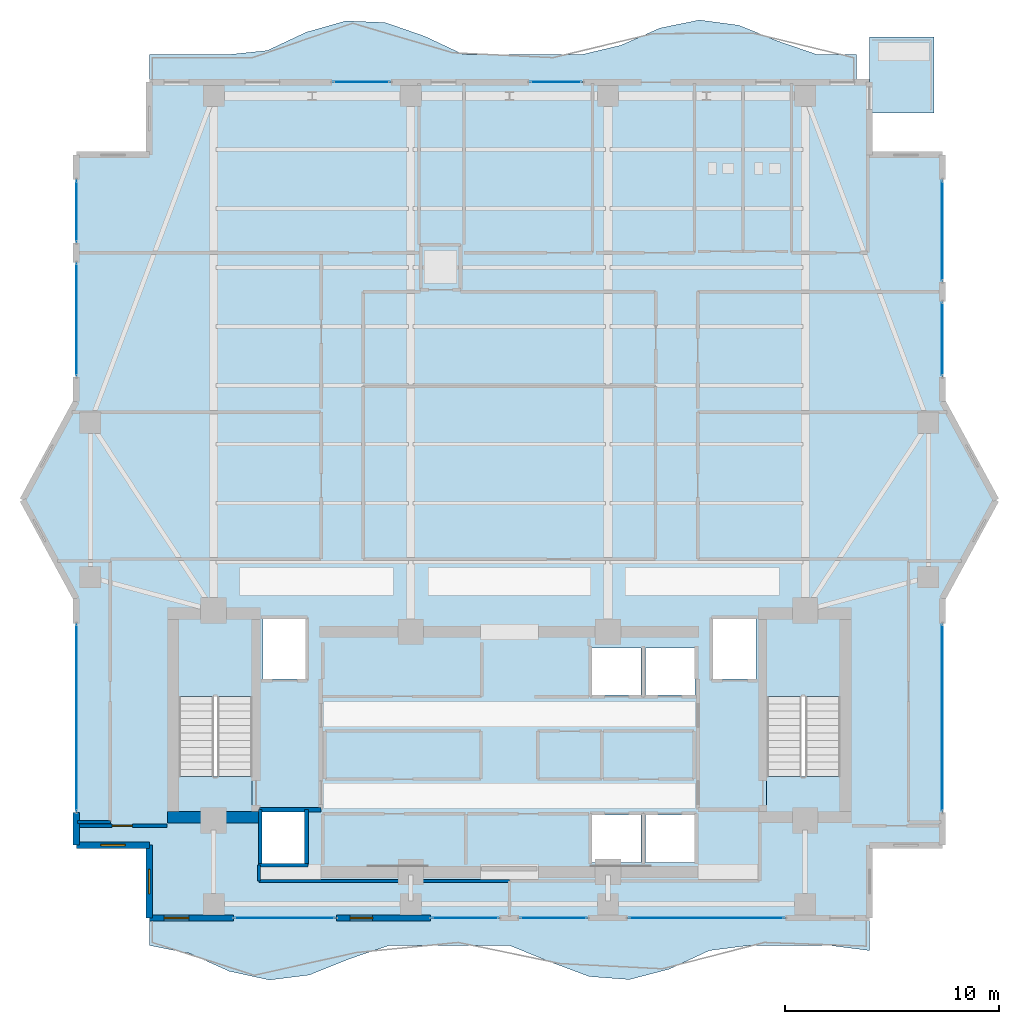
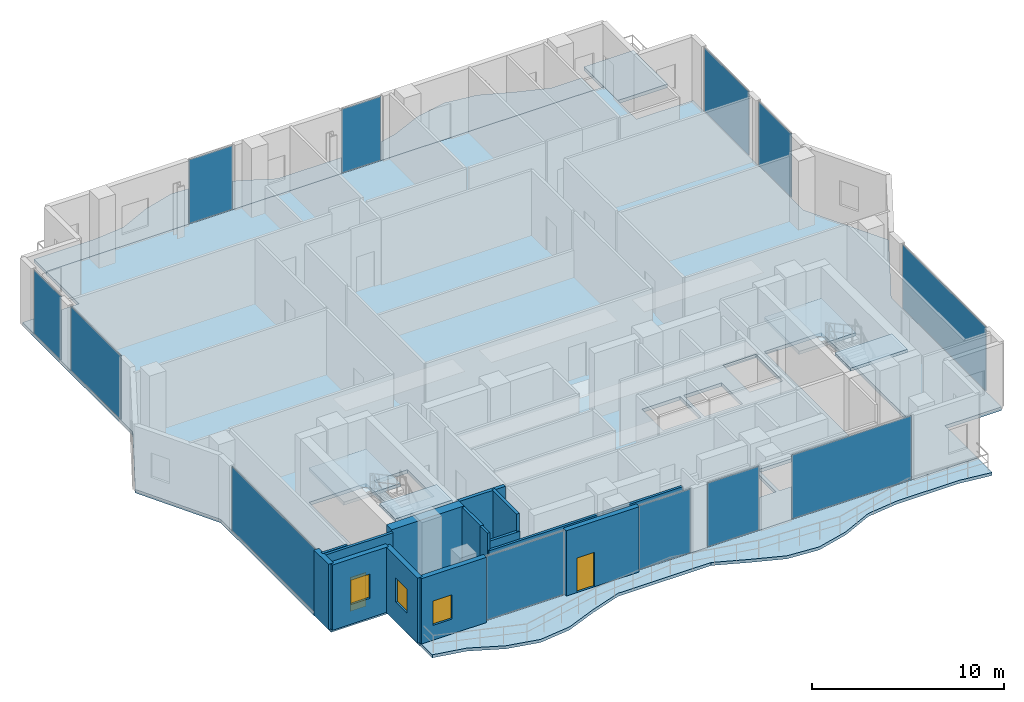
# One storey, part 16 of 24: 14 walls, 12 plates, 8 slabs, 3 windows, 2 doors, 5 openings, 14 elements without a shape of their own.
"""IFC4 building model written with IfcOpenShell, lengths in metres."""

import ifcopenshell
import ifcopenshell.guid

model = None  # the IFC model being written
_history = None  # IfcOwnerHistory: only IFC2X3 demands one
_inside = {}  # id of a spatial element -> (the spatial element, [elements in it])
_under = {}  # id of a project, library or spatial element -> (it, [spatial elements below it])
_declared = {}  # id of a project -> (the project, [libraries it declares])
_typed = {}  # id of a type object -> (the type object, [elements of that type])
_made_of = {}  # id of a material, layer set ... -> (it, [elements and type objects made of it])


def new_model(schema):
    """Start an empty IFC model of exactly this schema.

    Asked for "IFC4X3", IfcOpenShell would pick the latest addendum, in which some entities
    have other attributes; the version numbers below select the first issue.
    IFC2X3 requires an IfcOwnerHistory on every rooted entity: one is made here for all.
    """
    global model, _history
    if schema == "IFC4X3":
        model = ifcopenshell.file(schema_version=(4, 3, 0, 0))
    else:
        model = ifcopenshell.file(schema=schema)
    _inside.clear()
    _under.clear()
    _declared.clear()
    _typed.clear()
    _made_of.clear()
    _history = None
    if model.schema == "IFC2X3":
        org = make("IfcOrganization", Name="unknown")
        user = make(
            "IfcPersonAndOrganization",
            ThePerson=make("IfcPerson", FamilyName="unknown"),
            TheOrganization=org,
        )
        app = make(
            "IfcApplication",
            ApplicationDeveloper=org,
            Version="unknown",
            ApplicationFullName="unknown",
            ApplicationIdentifier="unknown",
        )
        _history = make(
            "IfcOwnerHistory",
            OwningUser=user,
            OwningApplication=app,
            ChangeAction="ADDED",
            CreationDate=0,
        )
    return model


def make(cls, **values):
    """One entity of the class cls with the attributes given. An attribute that is None is left unset."""
    return model.create_entity(
        cls, **{name: value for name, value in values.items() if value is not None}
    )


def rooted(cls, **values):
    """An entity with a GlobalId (a new one), such as an element, a storey or a relation."""
    return make(cls, GlobalId=ifcopenshell.guid.new(), OwnerHistory=_history, **values)


def si_unit(unit_type, name, prefix=None):
    """IfcSIUnit, for example si_unit("LENGTHUNIT", "METRE", prefix="MILLI")."""
    return make("IfcSIUnit", UnitType=unit_type, Prefix=prefix, Name=name)


def assignment(units):
    """IfcUnitAssignment: the units of a project."""
    return None if units is None else make("IfcUnitAssignment", Units=units)


def point(xyz):
    """IfcCartesianPoint."""
    return None if xyz is None else make("IfcCartesianPoint", Coordinates=xyz)


def direction(xyz):
    """IfcDirection."""
    return None if xyz is None else make("IfcDirection", DirectionRatios=xyz)


def frame(location, z_axis=None, x_axis=None):
    """IfcAxis2Placement3D, a coordinate frame: its origin and axes. An axis left out is left unset."""
    return make(
        "IfcAxis2Placement3D",
        Location=point(location),
        Axis=direction(z_axis),
        RefDirection=direction(x_axis),
    )


def frame_2d(location, x_axis=None):
    """IfcAxis2Placement2D, a coordinate frame in the plane: its origin and x axis."""
    return make(
        "IfcAxis2Placement2D", Location=point(location), RefDirection=direction(x_axis)
    )


def origin():
    """The frame at (0, 0, 0) with its axes left unset."""
    return frame((0.0, 0.0, 0.0))


def origin_2d():
    """The frame at (0, 0) in the plane with its x axis left unset."""
    return frame_2d((0.0, 0.0))


def place(relative_to, where):
    """IfcLocalPlacement: puts the frame where relative to a parent placement (None: the world)."""
    return make(
        "IfcLocalPlacement", PlacementRelTo=relative_to, RelativePlacement=where
    )


def context(
    kind, dimensions, precision=None, world=None, true_north=None, identifier=None
):
    """IfcGeometricRepresentationContext, for example the 3D "Model" context."""
    return make(
        "IfcGeometricRepresentationContext",
        ContextIdentifier=identifier,
        ContextType=kind,
        CoordinateSpaceDimension=dimensions,
        Precision=precision,
        WorldCoordinateSystem=world,
        TrueNorth=true_north,
    )


def subcontext(parent, identifier, kind, view, scale=None):
    """IfcGeometricRepresentationSubContext, for example "Body" below "Model"."""
    return make(
        "IfcGeometricRepresentationSubContext",
        ContextIdentifier=identifier,
        ContextType=kind,
        ParentContext=parent,
        TargetScale=scale,
        TargetView=view,
    )


def project(units=None, contexts=None):
    """IfcProject with its units and contexts."""
    return rooted(
        "IfcProject",
        Name="project",
        RepresentationContexts=contexts,
        UnitsInContext=assignment(units),
    )


def spatial(cls, under=None, at=None, **own):
    """A site, building, storey or space (cls), placed at a placement, below another one or the project."""
    s = rooted(cls, ObjectPlacement=at, **own)
    if under is not None:
        _under.setdefault(under.id(), (under, []))[1].append(s)
    return s


def polyline(points):
    """IfcPolyline through the points."""
    return make("IfcPolyline", Points=[point(p) for p in points])


def profile(cls, at=None, kind="AREA", **sizes):
    """A parametric profile (cls). Its sizes go by their IFC names, for example OverallWidth=200.0."""
    return make(cls, ProfileType=kind, Position=at, **sizes)


def rectangle(**sizes):
    """IfcRectangleProfileDef."""
    return profile("IfcRectangleProfileDef", **sizes)


def outline(outer, holes=None, kind="AREA"):
    """IfcArbitraryClosedProfileDef: a profile drawn as a closed curve; with holes, ...WithVoids."""
    if holes is None:
        return make("IfcArbitraryClosedProfileDef", ProfileType=kind, OuterCurve=outer)
    return make(
        "IfcArbitraryProfileDefWithVoids",
        ProfileType=kind,
        OuterCurve=outer,
        InnerCurves=holes,
    )


def extrude(swept, where, along, depth):
    """IfcExtrudedAreaSolid: the profile swept, set in the frame where, extruded along a direction by depth."""
    return make(
        "IfcExtrudedAreaSolid",
        SweptArea=swept,
        Position=where,
        ExtrudedDirection=direction(along),
        Depth=depth,
    )


def shape(context_of_items, identifier, shape_type, items):
    """IfcShapeRepresentation: the items that make up one representation, for example the "Body"."""
    return make(
        "IfcShapeRepresentation",
        ContextOfItems=context_of_items,
        RepresentationIdentifier=identifier,
        RepresentationType=shape_type,
        Items=items,
    )


def material(Name=None, Category=None):
    """IfcMaterial."""
    return make("IfcMaterial", Name=Name, Category=Category)


def layer(
    of_material, thickness, ventilated=None, Name=None, Category=None, Priority=None
):
    """IfcMaterialLayer: one layer of a wall or slab, of a material (None: an air gap)."""
    return make(
        "IfcMaterialLayer",
        Material=of_material,
        LayerThickness=thickness,
        IsVentilated=ventilated,
        Name=Name,
        Category=Category,
        Priority=Priority,
    )


def layer_set(layers, Name=None):
    """IfcMaterialLayerSet."""
    return make("IfcMaterialLayerSet", MaterialLayers=layers, LayerSetName=Name)


def made_of(thing, what):
    """Note that an element or type object is made of a material, layer set ...; save() writes the relation."""
    if what is not None:
        _made_of.setdefault(what.id(), (what, []))[1].append(thing)
    return thing


def type_object(cls, material=None, **own):
    """A type object (cls), such as IfcWallType, which elements share."""
    return made_of(rooted(cls, **own), material)


def element(
    cls,
    number,
    at=None,
    inside=None,
    cuts=None,
    type_object=None,
    material=None,
    context=None,
    identifier="Body",
    shape_type=None,
    held_by="IfcProductDefinitionShape",
    body=None,
    shapes=None,
    **own,
):
    """One element of the class cls, such as IfcWall. Its Tag is "e" and its number.

    at: its placement. inside: the storey or other place that contains it. cuts: it is an
    opening in that element (IfcRelVoidsElement). A single representation is given by context,
    identifier, shape_type and body (its items); several are given by shapes. held_by: the class
    of the entity that holds the representations. save() writes the other relations.
    """
    e = rooted(cls, Tag="e%d" % number, ObjectPlacement=at, **own)
    if body is not None:
        shapes = [shape(context, identifier, shape_type, body)]
    if shapes is not None:
        e.Representation = make(held_by, Representations=shapes)
    if inside is not None:
        _inside.setdefault(inside.id(), (inside, []))[1].append(e)
    if cuts is not None:
        rooted(
            "IfcRelVoidsElement", RelatingBuildingElement=cuts, RelatedOpeningElement=e
        )
    if type_object is not None:
        _typed.setdefault(type_object.id(), (type_object, []))[1].append(e)
    return made_of(e, material)


def fill(opening, filler):
    """IfcRelFillsElement: the door or window that sits in an opening."""
    return rooted(
        "IfcRelFillsElement",
        RelatingOpeningElement=opening,
        RelatedBuildingElement=filler,
    )


def aggregate(whole, parts):
    """IfcRelAggregates: a whole, such as a stair, and the parts it consists of."""
    return rooted("IfcRelAggregates", RelatingObject=whole, RelatedObjects=parts)


def save(model, path):
    """Write the relations noted so far, then the file.

    IfcRelAggregates (storeys below a building ...), IfcRelContainedInSpatialStructure (elements
    in a storey), IfcRelDefinesByType, IfcRelAssociatesMaterial and IfcRelDeclares: one each for
    every whole, place, type object, material and project.
    """
    for whole, parts in _under.values():
        aggregate(whole, parts)
    for where, things in _inside.values():
        rooted(
            "IfcRelContainedInSpatialStructure",
            RelatedElements=things,
            RelatingStructure=where,
        )
    for kind, things in _typed.values():
        rooted("IfcRelDefinesByType", RelatedObjects=things, RelatingType=kind)
    for what, things in _made_of.values():
        rooted("IfcRelAssociatesMaterial", RelatedObjects=things, RelatingMaterial=what)
    for by, libraries in _declared.values():
        rooted("IfcRelDeclares", RelatingContext=by, RelatedDefinitions=libraries)
    model.write(path)


model = new_model("IFC4")

# Units and contexts
model_context = context("Model", 3, precision=1e-05, world=origin(), true_north=direction((0.0, 1.0)))
body_context = subcontext(model_context, "Body", "Model", "MODEL_VIEW")
ifc_project = project(units=[si_unit("LENGTHUNIT", "METRE"), si_unit("AREAUNIT", "SQUARE_METRE"), si_unit("VOLUMEUNIT", "CUBIC_METRE"), si_unit("PLANEANGLEUNIT", "RADIAN"), si_unit("MASSUNIT", "GRAM", prefix="KILO")], contexts=[model_context])

# Site, building, storey
site_placement = place(None, origin())
site = spatial("IfcSite", under=ifc_project, at=site_placement, CompositionType="ELEMENT")
building_placement = place(site_placement, origin())
building = spatial("IfcBuilding", under=site, at=building_placement, Name="Zuhayl Quay Hotel", CompositionType="ELEMENT")
storey_placement = place(building_placement, frame((0.0, 0.0, 292.85009765625)))
storey = spatial("IfcBuildingStorey", under=building, at=storey_placement, Name="L74", CompositionType="ELEMENT", Elevation=292.85009765625)

# Curtain wall, plate
ifc_material_1 = material(Name="Anodised Aluminium 6063-T6", Category="aluminium")
ifc_layer_1 = layer(ifc_material_1, 0.169921875, Name="Anodised Aluminium 6063-T6", Category="aluminium")
ifc_layer_set_1 = layer_set([ifc_layer_1], Name="Anodised Aluminium 6063-T6")
curtain_wall_type = type_object("IfcCurtainWallType", Name="CW_SYS_Z4", PredefinedType="USERDEFINED", material=ifc_layer_set_1)
curtain_wall_1_placement = place(storey_placement, origin())
curtain_wall_1 = element("IfcCurtainWall", 1, at=curtain_wall_1_placement, inside=storey, type_object=curtain_wall_type, Name="L74 Curtain Wall ENV_L74_E02_CW1", ObjectType="UNITISED CURTAIN WALL", PredefinedType="USERDEFINED")
ifc_material_2 = material(Name="Dark Ceramic-Fritted Solar Glass", Category="glass")
ifc_layer_2 = layer(ifc_material_2, 0.035888671875, Name="Dark Ceramic-Fritted Solar Glass", Category="glass")
ifc_layer_set_2 = layer_set([ifc_layer_2], Name="Dark Ceramic-Fritted Solar Glass")
plate_type = type_object("IfcPlateType", Name="PN_DARK_FRIT_Z1", PredefinedType="CURTAIN_PANEL", material=ifc_layer_set_2)
plate_1_placement = place(storey_placement, frame((-20.199951171875, 9.340087890625, 0.0546875), z_axis=(0.0, 0.0, 1.0), x_axis=(0.0, 1.0, 0.0)))
plate_1 = element("IfcPlate", 2, at=plate_1_placement, type_object=plate_type, Name="CW-Z4 panel 1.1", PredefinedType="CURTAIN_PANEL", context=body_context, shape_type="SweptSolid", body=[
    extrude(rectangle(XDim=8.68994140625, YDim=0.035888671875, at=origin_2d()), origin(), (0.0, 0.0, 1.0), 4.050048828125),
])
aggregate(curtain_wall_1, [plate_1])

curtain_wall_2_placement = place(storey_placement, origin())
curtain_wall_2 = element("IfcCurtainWall", 3, at=curtain_wall_2_placement, inside=storey, type_object=curtain_wall_type, Name="L74 Curtain Wall ENV_L74_E05_CW1", ObjectType="UNITISED CURTAIN WALL", PredefinedType="USERDEFINED")
plate_2_placement = place(storey_placement, frame((-20.199951171875, 27.919921875, 0.0546875), z_axis=(0.0, 0.0, 1.0), x_axis=(0.0, 1.0, 0.0)))
plate_2 = element("IfcPlate", 4, at=plate_2_placement, type_object=plate_type, Name="CW-Z4 panel 1.1", PredefinedType="CURTAIN_PANEL", context=body_context, shape_type="SweptSolid", body=[
    extrude(rectangle(XDim=5.2099609375, YDim=0.035888671875, at=origin_2d()), origin(), (0.0, 0.0, 1.0), 4.050048828125),
])
aggregate(curtain_wall_2, [plate_2])

curtain_wall_3_placement = place(storey_placement, origin())
curtain_wall_3 = element("IfcCurtainWall", 5, at=curtain_wall_3_placement, inside=storey, type_object=curtain_wall_type, Name="L74 Curtain Wall ENV_L74_E05_CW2", ObjectType="UNITISED CURTAIN WALL", PredefinedType="USERDEFINED")
plate_3_placement = place(storey_placement, frame((-20.199951171875, 32.969970703125, 0.0546875), z_axis=(0.0, 0.0, 1.0), x_axis=(0.0, 1.0, 0.0)))
plate_3 = element("IfcPlate", 6, at=plate_3_placement, type_object=plate_type, Name="CW-Z4 panel 1.1", PredefinedType="CURTAIN_PANEL", context=body_context, shape_type="SweptSolid", body=[
    extrude(rectangle(XDim=2.830078125, YDim=0.035888671875, at=origin_2d()), origin(), (0.0, 0.0, 1.0), 4.050048828125),
])
aggregate(curtain_wall_3, [plate_3])

curtain_wall_4_placement = place(storey_placement, origin())
curtain_wall_4 = element("IfcCurtainWall", 7, at=curtain_wall_4_placement, inside=storey, type_object=curtain_wall_type, Name="L74 Curtain Wall ENV_L74_N_CW1", ObjectType="UNITISED CURTAIN WALL", PredefinedType="USERDEFINED")
plate_4_placement = place(storey_placement, frame((-6.89990234375, 39.0, 0.0546875), z_axis=(0.0, 0.0, 1.0), x_axis=(1.0, 0.0, 0.0)))
plate_4 = element("IfcPlate", 8, at=plate_4_placement, type_object=plate_type, Name="CW-Z4 panel 1.1", PredefinedType="CURTAIN_PANEL", context=body_context, shape_type="SweptSolid", body=[
    extrude(rectangle(XDim=2.6298828125, YDim=0.035888671875, at=origin_2d()), origin(), (0.0, 0.0, 1.0), 4.050048828125),
])
aggregate(curtain_wall_4, [plate_4])

curtain_wall_5_placement = place(storey_placement, origin())
curtain_wall_5 = element("IfcCurtainWall", 9, at=curtain_wall_5_placement, inside=storey, type_object=curtain_wall_type, Name="L74 Curtain Wall ENV_L74_N_CW2", ObjectType="UNITISED CURTAIN WALL", PredefinedType="USERDEFINED")
plate_5_placement = place(storey_placement, frame((2.175048828125, 39.0, 0.0546875), z_axis=(0.0, 0.0, 1.0), x_axis=(1.0, 0.0, 0.0)))
plate_5 = element("IfcPlate", 10, at=plate_5_placement, type_object=plate_type, Name="CW-Z4 panel 1.1", PredefinedType="CURTAIN_PANEL", context=body_context, shape_type="SweptSolid", body=[
    extrude(rectangle(XDim=2.3798828125, YDim=0.035888671875, at=origin_2d()), origin(), (0.0, 0.0, 1.0), 4.050048828125),
])
aggregate(curtain_wall_5, [plate_5])

curtain_wall_6_placement = place(storey_placement, origin())
curtain_wall_6 = element("IfcCurtainWall", 11, at=curtain_wall_6_placement, inside=storey, type_object=curtain_wall_type, Name="L74 Curtain Wall ENV_L74_E11_CW1", ObjectType="UNITISED CURTAIN WALL", PredefinedType="USERDEFINED")
plate_6_placement = place(storey_placement, frame((20.199951171875, 32.06005859375, 0.0546875), z_axis=(0.0, 0.0, 1.0), x_axis=(0.0, -1.0, 0.0)))
plate_6 = element("IfcPlate", 12, at=plate_6_placement, type_object=plate_type, Name="CW-Z4 panel 1.1", PredefinedType="CURTAIN_PANEL", context=body_context, shape_type="SweptSolid", body=[
    extrude(rectangle(XDim=4.64990234375, YDim=0.035888671875, at=origin_2d()), origin(), (0.0, 0.0, 1.0), 4.050048828125),
])
aggregate(curtain_wall_6, [plate_6])

curtain_wall_7_placement = place(storey_placement, origin())
curtain_wall_7 = element("IfcCurtainWall", 13, at=curtain_wall_7_placement, inside=storey, type_object=curtain_wall_type, Name="L74 Curtain Wall ENV_L74_E11_CW2", ObjectType="UNITISED CURTAIN WALL", PredefinedType="USERDEFINED")
plate_7_placement = place(storey_placement, frame((20.199951171875, 27.010009765625, 0.0546875), z_axis=(0.0, 0.0, 1.0), x_axis=(0.0, -1.0, 0.0)))
plate_7 = element("IfcPlate", 14, at=plate_7_placement, type_object=plate_type, Name="CW-Z4 panel 1.1", PredefinedType="CURTAIN_PANEL", context=body_context, shape_type="SweptSolid", body=[
    extrude(rectangle(XDim=3.389892578125, YDim=0.035888671875, at=origin_2d()), origin(), (0.0, 0.0, 1.0), 4.050048828125),
])
aggregate(curtain_wall_7, [plate_7])

curtain_wall_8_placement = place(storey_placement, origin())
curtain_wall_8 = element("IfcCurtainWall", 15, at=curtain_wall_8_placement, inside=storey, type_object=curtain_wall_type, Name="L74 Curtain Wall ENV_L74_E14_CW1", ObjectType="UNITISED CURTAIN WALL", PredefinedType="USERDEFINED")
plate_8_placement = place(storey_placement, frame((20.199951171875, 9.340087890625, 0.0546875), z_axis=(0.0, 0.0, 1.0), x_axis=(0.0, -1.0, 0.0)))
plate_8 = element("IfcPlate", 16, at=plate_8_placement, type_object=plate_type, Name="CW-Z4 panel 1.1", PredefinedType="CURTAIN_PANEL", context=body_context, shape_type="SweptSolid", body=[
    extrude(rectangle(XDim=8.68994140625, YDim=0.035888671875, at=origin_2d()), origin(), (0.0, 0.0, 1.0), 4.050048828125),
])
aggregate(curtain_wall_8, [plate_8])

curtain_wall_9_placement = place(storey_placement, origin())
curtain_wall_9 = element("IfcCurtainWall", 17, at=curtain_wall_9_placement, inside=storey, type_object=curtain_wall_type, Name="L74 Curtain Wall ENV_L74_S_CW1", ObjectType="UNITISED CURTAIN WALL", PredefinedType="USERDEFINED")
plate_9_placement = place(storey_placement, frame((9.199951171875, 0.0, 0.0546875), z_axis=(0.0, 0.0, 1.0), x_axis=(-1.0, 0.0, 0.0)))
plate_9 = element("IfcPlate", 18, at=plate_9_placement, type_object=plate_type, Name="CW-Z4 panel 1.1", PredefinedType="CURTAIN_PANEL", context=body_context, shape_type="SweptSolid", body=[
    extrude(rectangle(XDim=7.22998046875, YDim=0.035888671875, at=origin_2d()), origin(), (0.0, 0.0, 1.0), 4.050048828125),
])
aggregate(curtain_wall_9, [plate_9])

curtain_wall_10_placement = place(storey_placement, origin())
curtain_wall_10 = element("IfcCurtainWall", 19, at=curtain_wall_10_placement, inside=storey, type_object=curtain_wall_type, Name="L74 Curtain Wall ENV_L74_S_CW2", ObjectType="UNITISED CURTAIN WALL", PredefinedType="USERDEFINED")
plate_10_placement = place(storey_placement, frame((2.06494140625, 0.0, 0.0546875), z_axis=(0.0, 0.0, 1.0), x_axis=(-1.0, 0.0, 0.0)))
plate_10 = element("IfcPlate", 20, at=plate_10_placement, type_object=plate_type, Name="CW-Z4 panel 1.1", PredefinedType="CURTAIN_PANEL", context=body_context, shape_type="SweptSolid", body=[
    extrude(rectangle(XDim=3.10009765625, YDim=0.035888671875, at=origin_2d()), origin(), (0.0, 0.0, 1.0), 4.050048828125),
])
aggregate(curtain_wall_10, [plate_10])

curtain_wall_11_placement = place(storey_placement, origin())
curtain_wall_11 = element("IfcCurtainWall", 21, at=curtain_wall_11_placement, inside=storey, type_object=curtain_wall_type, Name="L74 Curtain Wall ENV_L74_S_CW3", ObjectType="UNITISED CURTAIN WALL", PredefinedType="USERDEFINED")
plate_11_placement = place(storey_placement, frame((-2.06494140625, 0.0, 0.0546875), z_axis=(0.0, 0.0, 1.0), x_axis=(-1.0, 0.0, 0.0)))
plate_11 = element("IfcPlate", 22, at=plate_11_placement, type_object=plate_type, Name="CW-Z4 panel 1.1", PredefinedType="CURTAIN_PANEL", context=body_context, shape_type="SweptSolid", body=[
    extrude(rectangle(XDim=3.10009765625, YDim=0.035888671875, at=origin_2d()), origin(), (0.0, 0.0, 1.0), 4.050048828125),
])
aggregate(curtain_wall_11, [plate_11])

curtain_wall_12_placement = place(storey_placement, origin())
curtain_wall_12 = element("IfcCurtainWall", 23, at=curtain_wall_12_placement, inside=storey, type_object=curtain_wall_type, Name="L74 Curtain Wall ENV_L74_S_CW4", ObjectType="UNITISED CURTAIN WALL", PredefinedType="USERDEFINED")
plate_12_placement = place(storey_placement, frame((-10.4775390625, 0.0, 0.0546875), z_axis=(0.0, 0.0, 1.0), x_axis=(-1.0, 0.0, 0.0)))
plate_12 = element("IfcPlate", 24, at=plate_12_placement, type_object=plate_type, Name="CW-Z4 panel 1.1", PredefinedType="CURTAIN_PANEL", context=body_context, shape_type="SweptSolid", body=[
    extrude(rectangle(XDim=4.675048828125, YDim=0.035888671875, at=origin_2d()), origin(), (0.0, 0.0, 1.0), 4.050048828125),
])
aggregate(curtain_wall_12, [plate_12])

# Slabs
ifc_material_3 = material(Name="Concrete C45/55", Category="concrete")
ifc_layer_3 = layer(ifc_material_3, 0.195068359375, Name="Concrete C45/55", Category="concrete")
ifc_layer_set_3 = layer_set([ifc_layer_3], Name="Concrete C45/55")
slab_type_1 = type_object("IfcSlabType", Name="SL_BALCONY_195", PredefinedType="FLOOR", material=ifc_layer_set_3)
slab_1_placement = place(storey_placement, frame((0.0, 0.0, -0.195068359375)))
element("IfcSlab", 25, at=slab_1_placement, inside=storey, type_object=slab_type_1, Name="L74 Exterior Rippling Balcony Slab North", PredefinedType="FLOOR", context=body_context, shape_type="SweptSolid", body=[
    extrude(outline(polyline([(-16.800048828125, 39.0), (16.199951171875, 39.0), (16.199951171875, 40.280029296875), (14.36669921875, 40.280029296875), (12.533203125, 40.909912109375), (10.699951171875, 41.651611328125), (8.86669921875, 41.89599609375), (7.033203125, 41.522216796875), (5.199951171875, 40.71533203125), (3.36669921875, 40.280029296875), (1.533203125, 40.280029296875), (-0.300048828125, 40.280029296875), (-2.13330078125, 40.280029296875), (-3.966796875, 41.143310546875), (-5.800048828125, 41.7783203125), (-7.63330078125, 41.85302734375), (-9.466796875, 41.330810546875), (-11.300048828125, 40.470703125), (-13.13330078125, 40.280029296875), (-14.966796875, 40.280029296875), (-16.800048828125, 40.280029296875), (-16.800048828125, 39.0)])), origin(), (0.0, 0.0, 1.0), 0.195068359375),
])
slab_2_placement = place(storey_placement, frame((0.0, 0.0, -0.195068359375)))
element("IfcSlab", 26, at=slab_2_placement, inside=storey, type_object=slab_type_1, Name="L74 Exterior Rippling Balcony Slab South", PredefinedType="FLOOR", context=body_context, shape_type="SweptSolid", body=[
    extrude(outline(polyline([(-16.800048828125, -1.280029296875), (-14.933349609375, -1.64990234375), (-13.066650390625, -2.486328125), (-11.199951171875, -2.893310546875), (-9.333251953125, -2.661376953125), (-7.466796875, -1.909912109375), (-5.60009765625, -1.280029296875), (-3.7333984375, -1.280029296875), (-1.86669921875, -1.280029296875), (0.0, -1.280029296875), (1.86669921875, -2.036376953125), (3.7333984375, -2.732421875), (5.60009765625, -2.872802734375), (7.466796875, -2.384765625), (9.333251953125, -1.519287109375), (11.199951171875, -1.280029296875), (13.066650390625, -1.280029296875), (14.933349609375, -1.280029296875), (16.800048828125, -1.519287109375), (16.800048828125, 0.0), (-16.800048828125, 0.0), (-16.800048828125, -1.280029296875)])), origin(), (0.0, 0.0, 1.0), 0.195068359375),
])
ifc_layer_4 = layer(ifc_material_3, 0.219970703125, Name="Concrete C45/55", Category="concrete")
ifc_layer_set_4 = layer_set([ifc_layer_4], Name="Concrete C45/55")
slab_type_2 = type_object("IfcSlabType", Name="SL_FLOOR_220", PredefinedType="FLOOR", material=ifc_layer_set_4)
slab_3_placement = place(storey_placement, frame((0.0, 0.0, -0.22021484375)))
element("IfcSlab", 27, at=slab_3_placement, inside=storey, type_object=slab_type_2, Name="L74 Structural Floor Slab", PredefinedType="FLOOR", context=body_context, shape_type="SweptSolid", body=[
    extrude(outline(polyline([(-16.800048828125, 0.0), (16.800048828125, 0.0), (16.800048828125, 3.39990234375), (20.199951171875, 3.39990234375), (20.199951171875, 14.89990234375), (22.699951171875, 19.5), (20.199951171875, 24.10009765625), (20.199951171875, 35.60009765625), (16.800048828125, 35.60009765625), (16.800048828125, 39.0), (-16.800048828125, 39.0), (-16.800048828125, 35.60009765625), (-20.199951171875, 35.60009765625), (-20.199951171875, 24.10009765625), (-22.699951171875, 19.5), (-20.199951171875, 14.89990234375), (-20.199951171875, 3.39990234375), (-16.800048828125, 3.39990234375), (-16.800048828125, 0.0)]), holes=[polyline([(-12.0, 4.949951171875), (-12.0, 13.949951171875), (-15.429931640625, 13.949951171875), (-15.429931640625, 4.949951171875), (-12.0, 4.949951171875)]), polyline([(15.429931640625, 4.949951171875), (15.429931640625, 13.949951171875), (12.0, 13.949951171875), (12.0, 4.949951171875), (15.429931640625, 4.949951171875)]), polyline([(-11.5, 11.14990234375), (-9.5, 11.14990234375), (-9.5, 13.949951171875), (-11.5, 13.949951171875), (-11.5, 11.14990234375)]), polyline([(9.5, 11.14990234375), (11.5, 11.14990234375), (11.5, 13.949951171875), (9.5, 13.949951171875), (9.5, 11.14990234375)]), polyline([(3.85009765625, 2.60009765625), (6.14990234375, 2.60009765625), (6.14990234375, 4.800048828125), (3.85009765625, 4.800048828125), (3.85009765625, 2.60009765625)]), polyline([(6.35009765625, 2.60009765625), (8.64990234375, 2.60009765625), (8.64990234375, 4.800048828125), (6.35009765625, 4.800048828125), (6.35009765625, 2.60009765625)]), polyline([(3.85009765625, 10.39990234375), (6.14990234375, 10.39990234375), (6.14990234375, 12.60009765625), (3.85009765625, 12.60009765625), (3.85009765625, 10.39990234375)]), polyline([(6.35009765625, 10.39990234375), (8.64990234375, 10.39990234375), (8.64990234375, 12.60009765625), (6.35009765625, 12.60009765625), (6.35009765625, 10.39990234375)]), polyline([(-11.550048828125, 2.550048828125), (-9.550048828125, 2.550048828125), (-9.550048828125, 4.949951171875), (-11.550048828125, 4.949951171875), (-11.550048828125, 2.550048828125)])]), origin(), (0.0, 0.0, 1.0), 0.22021484375),
])

# Stair, slabs
stair_type = type_object("IfcStairType", Name="ST_DOGLEG_TOWER", PredefinedType="HALF_TURN_STAIR", material=ifc_material_3)
stair_1_placement = place(storey_placement, origin())
stair_1 = element("IfcStair", 28, at=stair_1_placement, inside=storey, type_object=stair_type, Name="L74 Smokeproof Exit Stair ST1", PredefinedType="HALF_TURN_STAIR")
ifc_layer_5 = layer(ifc_material_3, 0.199951171875, Name="Concrete C45/55", Category="concrete")
ifc_layer_set_5 = layer_set([ifc_layer_5], Name="Concrete C45/55")
slab_type_3 = type_object("IfcSlabType", Name="SL_STAIR_LANDING_200", PredefinedType="LANDING", material=ifc_layer_set_5)
slab_4_placement = place(storey_placement, frame((0.0, 0.0, 2.0)))
slab_4 = element("IfcSlab", 29, at=slab_4_placement, type_object=slab_type_3, Name="ST1 landing 1", PredefinedType="LANDING", context=body_context, shape_type="SweptSolid", body=[
    extrude(outline(polyline([(-12.0, 10.330078125), (-12.0, 13.949951171875), (-15.429931640625, 13.949951171875), (-15.429931640625, 10.330078125), (-12.0, 10.330078125)])), origin(), (0.0, 0.0, 1.0), 0.199951171875),
])
slab_5_placement = place(storey_placement, frame((0.0, 0.0, 4.199951171875)))
slab_5 = element("IfcSlab", 30, at=slab_5_placement, type_object=slab_type_3, Name="ST1 landing 2", PredefinedType="LANDING", context=body_context, shape_type="SweptSolid", body=[
    extrude(outline(polyline([(-12.0, 4.949951171875), (-12.0, 6.590087890625), (-15.429931640625, 6.590087890625), (-15.429931640625, 4.949951171875), (-12.0, 4.949951171875)])), origin(), (0.0, 0.0, 1.0), 0.199951171875),
])
aggregate(stair_1, [slab_4, slab_5])

stair_2_placement = place(storey_placement, origin())
stair_2 = element("IfcStair", 31, at=stair_2_placement, inside=storey, type_object=stair_type, Name="L74 Smokeproof Exit Stair ST2", PredefinedType="HALF_TURN_STAIR")
slab_6_placement = place(storey_placement, frame((0.0, 0.0, 2.0)))
slab_6 = element("IfcSlab", 32, at=slab_6_placement, type_object=slab_type_3, Name="ST2 landing 1", PredefinedType="LANDING", context=body_context, shape_type="SweptSolid", body=[
    extrude(outline(polyline([(15.429931640625, 10.330078125), (15.429931640625, 13.949951171875), (12.0, 13.949951171875), (12.0, 10.330078125), (15.429931640625, 10.330078125)])), origin(), (0.0, 0.0, 1.0), 0.199951171875),
])
slab_7_placement = place(storey_placement, frame((0.0, 0.0, 4.199951171875)))
slab_7 = element("IfcSlab", 33, at=slab_7_placement, type_object=slab_type_3, Name="ST2 landing 2", PredefinedType="LANDING", context=body_context, shape_type="SweptSolid", body=[
    extrude(outline(polyline([(15.429931640625, 4.949951171875), (15.429931640625, 6.590087890625), (12.0, 6.590087890625), (12.0, 4.949951171875), (15.429931640625, 4.949951171875)])), origin(), (0.0, 0.0, 1.0), 0.199951171875),
])
aggregate(stair_2, [slab_6, slab_7])

# Slab
ifc_layer_6 = layer(ifc_material_3, 0.219970703125, Name="Concrete C45/55", Category="concrete")
ifc_layer_set_6 = layer_set([ifc_layer_6], Name="Concrete C45/55")
slab_type_4 = type_object("IfcSlabType", Name="SL_TERRACE_235", PredefinedType="FLOOR", material=ifc_layer_set_6)
slab_8_placement = place(storey_placement, frame((0.0, 0.0, -0.22021484375)))
element("IfcSlab", 34, at=slab_8_placement, inside=storey, type_object=slab_type_4, Name="L74 Exterior Sky-Terrace Slab L74_SPIRAL_NE", PredefinedType="FLOOR", context=body_context, shape_type="SweptSolid", body=[
    extrude(outline(polyline([(16.800048828125, 37.550048828125), (19.800048828125, 37.550048828125), (19.800048828125, 41.10009765625), (16.800048828125, 41.10009765625), (16.800048828125, 37.550048828125)])), origin(), (0.0, 0.0, 1.0), 0.22021484375),
])

# Wall
ifc_material_4 = material(Name="Concrete C50/60", Category="concrete")
ifc_layer_7 = layer(ifc_material_4, 0.550048828125, Name="Concrete C50/60", Category="concrete")
ifc_layer_set_7 = layer_set([ifc_layer_7], Name="Concrete C50/60")
wall_type_1 = type_object("IfcWallType", Name="WL_CORE_550", PredefinedType="SHEAR", material=ifc_layer_set_7)
wall_1_placement = place(storey_placement, frame((-15.9599609375, 4.695068359375, 0.0), z_axis=(0.0, 0.0, 1.0), x_axis=(1.0, 0.0, 0.0)))
element("IfcWall", 35, at=wall_1_placement, inside=storey, type_object=wall_type_1, Name="L74 Core Shear Wall CW_SW", PredefinedType="SHEAR", context=body_context, shape_type="SweptSolid", body=[
    extrude(rectangle(XDim=4.35986328125, YDim=0.550048828125, at=frame_2d((2.179931640625, 0.0))), origin(), (0.0, 0.0, 1.0), 4.2099609375),
])

# Wall, opening, window
ifc_material_5 = material(Name="Precast concrete C45/55", Category="concrete")
ifc_layer_8 = layer(ifc_material_5, 0.300048828125, Name="Precast concrete C45/55", Category="concrete")
ifc_layer_set_8 = layer_set([ifc_layer_8], Name="Precast concrete C45/55")
wall_type_2 = type_object("IfcWallType", Name="WL_EXT_300", PredefinedType="STANDARD", material=ifc_layer_set_8)
wall_2_placement = place(storey_placement, frame((-16.800048828125, 3.39990234375, 0.0), z_axis=(0.0, 0.0, 1.0), x_axis=(-1.0, 0.0, 0.0)))
wall_2 = element("IfcWall", 36, at=wall_2_placement, inside=storey, type_object=wall_type_2, Name="L74 Exterior Precast Wall ENV_L74_EW01", PredefinedType="STANDARD", context=body_context, shape_type="SweptSolid", body=[
    extrude(rectangle(XDim=3.39990234375, YDim=0.300048828125, at=frame_2d((1.699951171875, 0.0))), origin(), (0.0, 0.0, 1.0), 4.159912109375),
])
opening_1_placement = place(wall_2_placement, frame((1.125, 0.0, 1.25)))
opening_1 = element("IfcOpeningElement", 37, at=opening_1_placement, cuts=wall_2, Name="Opening W01N", PredefinedType="OPENING", context=body_context, shape_type="SweptSolid", body=[
    extrude(rectangle(XDim=1.14990234375, YDim=1.550048828125, at=frame_2d((0.574951171875, 0.77490234375))), frame((0.0, 0.159912109375, 0.0), z_axis=(0.0, -1.0, 0.0), x_axis=(1.0, 0.0, 0.0)), (0.0, 0.0, 1.0), 0.320068359375),
])
window_type = type_object("IfcWindowType", Name="WN_NOTCH_1350", PartitioningType="SINGLE_PANEL", PredefinedType="WINDOW", material=ifc_material_2)
window_1_placement = place(opening_1_placement, origin())
window_1 = element("IfcWindow", 38, at=window_1_placement, inside=storey, type_object=window_type, Name="L74 Corner Notch Window 1", OverallHeight=1.550048828125, OverallWidth=1.14990234375, PartitioningType="SINGLE_PANEL", PredefinedType="WINDOW", context=body_context, shape_type="SweptSolid", body=[
    extrude(rectangle(XDim=1.14990234375, YDim=1.550048828125, at=frame_2d((0.574951171875, 0.77490234375))), frame((0.0, 0.030029296875, 0.0), z_axis=(0.0, -1.0, 0.0), x_axis=(1.0, 0.0, 0.0)), (0.0, 0.0, 1.0), 0.06005859375),
])
fill(opening_1, window_1)

# Wall
wall_3_placement = place(storey_placement, frame((-20.199951171875, 3.39990234375, 0.0), z_axis=(0.0, 0.0, 1.0), x_axis=(0.0, 1.0, 0.0)))
element("IfcWall", 39, at=wall_3_placement, inside=storey, type_object=wall_type_2, Name="L74 Exterior Precast Wall ENV_L74_E02_EW1", PredefinedType="STANDARD", context=body_context, shape_type="SweptSolid", body=[
    extrude(rectangle(XDim=1.530029296875, YDim=0.300048828125, at=frame_2d((0.76513671875, 0.0))), origin(), (0.0, 0.0, 1.0), 4.159912109375),
])

# Wall, opening, door
wall_4_placement = place(storey_placement, frame((-3.679931640625, 0.0, 0.0), z_axis=(0.0, 0.0, 1.0), x_axis=(-1.0, 0.0, 0.0)))
wall_4 = element("IfcWall", 40, at=wall_4_placement, inside=storey, type_object=wall_type_2, Name="L74 Exterior Precast Wall ENV_L74_S_EW4", PredefinedType="STANDARD", context=body_context, shape_type="SweptSolid", body=[
    extrude(rectangle(XDim=4.39501953125, YDim=0.300048828125, at=frame_2d((2.197509765625, 0.0))), origin(), (0.0, 0.0, 1.0), 4.159912109375),
])
opening_2_placement = place(wall_4_placement, frame((2.695068359375, 0.0, 0.0)))
opening_2 = element("IfcOpeningElement", 41, at=opening_2_placement, cuts=wall_4, Name="Opening DG1", PredefinedType="OPENING", context=body_context, shape_type="SweptSolid", body=[
    extrude(rectangle(XDim=1.050048828125, YDim=2.199951171875, at=frame_2d((0.52490234375, 1.10009765625))), frame((0.0, 0.159912109375, 0.0), z_axis=(0.0, -1.0, 0.0), x_axis=(1.0, 0.0, 0.0)), (0.0, 0.0, 1.0), 0.320068359375),
])
ifc_material_6 = material(Name="Anodised Aluminium and Dark Solar Glass", Category="aluminium")
door_type_1 = type_object("IfcDoorType", Name="DR_EXT_TERR_1050", OperationType="NOTDEFINED", PredefinedType="DOOR", material=ifc_material_6)
door_1_placement = place(opening_2_placement, origin())
door_1 = element("IfcDoor", 42, at=door_1_placement, inside=storey, type_object=door_type_1, Name="L74 South Rippling Balcony Door", OperationType="SINGLE_SWING_RIGHT", OverallHeight=2.199951171875, OverallWidth=1.050048828125, PredefinedType="DOOR", context=body_context, shape_type="SweptSolid", body=[
    extrude(rectangle(XDim=1.050048828125, YDim=2.199951171875, at=frame_2d((0.52490234375, 1.10009765625))), frame((0.0, 0.02490234375, 0.0), z_axis=(0.0, -1.0, 0.0), x_axis=(1.0, 0.0, 0.0)), (0.0, 0.0, 1.0), 0.050048828125),
])
fill(opening_2, door_1)

# Wall, opening, window
wall_5_placement = place(storey_placement, frame((-12.8798828125, 0.0, 0.0), z_axis=(0.0, 0.0, 1.0), x_axis=(-1.0, 0.0, 0.0)))
wall_5 = element("IfcWall", 43, at=wall_5_placement, inside=storey, type_object=wall_type_2, Name="L74 Exterior Precast Wall ENV_L74_S_EW5", PredefinedType="STANDARD", context=body_context, shape_type="SweptSolid", body=[
    extrude(rectangle(XDim=3.920166015625, YDim=0.300048828125, at=frame_2d((1.9599609375, 0.0))), origin(), (0.0, 0.0, 1.0), 4.159912109375),
])
opening_3_placement = place(wall_5_placement, frame((2.074951171875, 0.0, 0.949951171875)))
opening_3 = element("IfcOpeningElement", 44, at=opening_3_placement, cuts=wall_5, Name="Opening W01N", PredefinedType="OPENING", context=body_context, shape_type="SweptSolid", body=[
    extrude(rectangle(XDim=1.14990234375, YDim=1.550048828125, at=frame_2d((0.574951171875, 0.77490234375))), frame((0.0, 0.159912109375, 0.0), z_axis=(0.0, -1.0, 0.0), x_axis=(1.0, 0.0, 0.0)), (0.0, 0.0, 1.0), 0.320068359375),
])
window_2_placement = place(opening_3_placement, origin())
window_2 = element("IfcWindow", 45, at=window_2_placement, inside=storey, type_object=window_type, Name="L74 Operable Facade Window 5-1", OverallHeight=1.550048828125, OverallWidth=1.14990234375, PartitioningType="SINGLE_PANEL", PredefinedType="WINDOW", context=body_context, shape_type="SweptSolid", body=[
    extrude(rectangle(XDim=1.14990234375, YDim=1.550048828125, at=frame_2d((0.574951171875, 0.77490234375))), frame((0.0, 0.030029296875, 0.0), z_axis=(0.0, -1.0, 0.0), x_axis=(1.0, 0.0, 0.0)), (0.0, 0.0, 1.0), 0.06005859375),
])
fill(opening_3, window_2)

wall_6_placement = place(storey_placement, frame((-16.800048828125, 0.0, 0.0), z_axis=(0.0, 0.0, 1.0), x_axis=(0.0, 1.0, 0.0)))
wall_6 = element("IfcWall", 46, at=wall_6_placement, inside=storey, type_object=wall_type_2, Name="L74 Exterior Precast Wall ENV_L74_EW18", PredefinedType="STANDARD", context=body_context, shape_type="SweptSolid", body=[
    extrude(rectangle(XDim=3.39990234375, YDim=0.300048828125, at=frame_2d((1.699951171875, 0.0))), origin(), (0.0, 0.0, 1.0), 4.159912109375),
])
opening_4_placement = place(wall_6_placement, frame((1.125, 0.0, 1.25)))
opening_4 = element("IfcOpeningElement", 47, at=opening_4_placement, cuts=wall_6, Name="Opening W01N", PredefinedType="OPENING", context=body_context, shape_type="SweptSolid", body=[
    extrude(rectangle(XDim=1.14990234375, YDim=1.550048828125, at=frame_2d((0.574951171875, 0.77490234375))), frame((0.0, 0.159912109375, 0.0), z_axis=(0.0, -1.0, 0.0), x_axis=(1.0, 0.0, 0.0)), (0.0, 0.0, 1.0), 0.320068359375),
])
window_3_placement = place(opening_4_placement, origin())
window_3 = element("IfcWindow", 48, at=window_3_placement, inside=storey, type_object=window_type, Name="L74 Corner Notch Window 18", OverallHeight=1.550048828125, OverallWidth=1.14990234375, PartitioningType="SINGLE_PANEL", PredefinedType="WINDOW", context=body_context, shape_type="SweptSolid", body=[
    extrude(rectangle(XDim=1.14990234375, YDim=1.550048828125, at=frame_2d((0.574951171875, 0.77490234375))), frame((0.0, 0.030029296875, 0.0), z_axis=(0.0, -1.0, 0.0), x_axis=(1.0, 0.0, 0.0)), (0.0, 0.0, 1.0), 0.06005859375),
])
fill(opening_4, window_3)

# Walls
ifc_material_7 = material(Name="Acoustic Gypsum Partition STC-58")
ifc_layer_9 = layer(ifc_material_7, 0.14990234375, Name="Acoustic Gypsum Partition STC-58")
ifc_layer_set_9 = layer_set([ifc_layer_9], Name="Acoustic Gypsum Partition STC-58")
wall_type_3 = type_object("IfcWallType", Name="WL_PART_150", PredefinedType="PARTITIONING", material=ifc_layer_set_9)
wall_7_placement = place(storey_placement, frame((-11.679931640625, 1.719970703125, 0.0), z_axis=(0.0, 0.0, 1.0), x_axis=(0.0, 1.0, 0.0)))
element("IfcWall", 49, at=wall_7_placement, inside=storey, type_object=wall_type_3, Name="L74 Partition IW_L74_Z4_SUN_SW_IN", PredefinedType="PARTITIONING", context=body_context, shape_type="SweptSolid", body=[
    extrude(rectangle(XDim=0.75, YDim=0.14990234375, at=frame_2d((0.375, 0.0))), origin(), (0.0, 0.0, 1.0), 4.159912109375),
])
wall_8_placement = place(storey_placement, frame((-11.679931640625, 1.719970703125, 0.0), z_axis=(0.0, 0.0, 1.0), x_axis=(1.0, 0.0, 0.0)))
element("IfcWall", 50, at=wall_8_placement, inside=storey, type_object=wall_type_3, Name="L74 Partition IW_L74_Z4_SUN_SW_SN", PredefinedType="PARTITIONING", context=body_context, shape_type="SweptSolid", body=[
    extrude(rectangle(XDim=11.679931640625, YDim=0.14990234375, at=frame_2d((5.83984375, 0.0))), origin(), (0.0, 0.0, 1.0), 3.059814453125),
])
wall_9_placement = place(storey_placement, frame((-20.139892578125, 4.47998046875, 0.0), z_axis=(0.0, 0.0, 1.0), x_axis=(1.0, 0.0, 0.0)))
element("IfcWall", 51, at=wall_9_placement, inside=storey, type_object=wall_type_3, Name="L74 Partition IW_L74_PROW_ST_W_S", PredefinedType="PARTITIONING", context=body_context, shape_type="SweptSolid", body=[
    extrude(rectangle(XDim=1.519775390625, YDim=0.14990234375, at=frame_2d((0.759765625, 0.0))), origin(), (0.0, 0.0, 1.0), 4.159912109375),
])

# Wall, opening, door
ifc_layer_10 = layer(ifc_material_7, 0.159912109375, Name="Acoustic Gypsum Partition STC-58")
ifc_layer_set_10 = layer_set([ifc_layer_10], Name="Acoustic Gypsum Partition STC-58")
wall_type_4 = type_object("IfcWallType", Name="WL_PART_CORR_160", PredefinedType="PARTITIONING", material=ifc_layer_set_10)
wall_10_placement = place(storey_placement, frame((-20.139892578125, 4.300048828125, 0.0), z_axis=(0.0, 0.0, 1.0), x_axis=(1.0, 0.0, 0.0)))
wall_10 = element("IfcWall", 52, at=wall_10_placement, inside=storey, type_object=wall_type_4, Name="L74 Partition IW_L74_Z4_SUN_SW_N", PredefinedType="PARTITIONING", context=body_context, shape_type="SweptSolid", body=[
    extrude(rectangle(XDim=4.159912109375, YDim=0.159912109375, at=frame_2d((2.080078125, 0.0))), origin(), (0.0, 0.0, 1.0), 4.159912109375),
])
opening_5_placement = place(wall_10_placement, frame((1.60498046875, 0.0, 0.0)))
opening_5 = element("IfcOpeningElement", 53, at=opening_5_placement, cuts=wall_10, Name="Opening D03", PredefinedType="OPENING", context=body_context, shape_type="SweptSolid", body=[
    extrude(rectangle(XDim=0.949951171875, YDim=2.14990234375, at=frame_2d((0.47509765625, 1.074951171875))), frame((0.0, 0.08984375, 0.0), z_axis=(0.0, -1.0, 0.0), x_axis=(1.0, 0.0, 0.0)), (0.0, 0.0, 1.0), 0.179931640625),
])
ifc_material_8 = material(Name="Solid Walnut Acoustic Fire Door")
door_type_2 = type_object("IfcDoorType", Name="DR_SUITE_950", OperationType="NOTDEFINED", PredefinedType="DOOR", material=ifc_material_8)
door_2_placement = place(opening_5_placement, origin())
door_2 = element("IfcDoor", 54, at=door_2_placement, inside=storey, type_object=door_type_2, Name="L74 Sunset Salon SW Door", OperationType="SINGLE_SWING_LEFT", OverallHeight=2.14990234375, OverallWidth=0.949951171875, PredefinedType="DOOR", context=body_context, shape_type="SweptSolid", body=[
    extrude(rectangle(XDim=0.949951171875, YDim=2.14990234375, at=frame_2d((0.47509765625, 1.074951171875))), frame((0.0, 0.02490234375, 0.0), z_axis=(0.0, -1.0, 0.0), x_axis=(1.0, 0.0, 0.0)), (0.0, 0.0, 1.0), 0.050048828125),
])
fill(opening_5, door_2)

# Walls
ifc_material_9 = material(Name="Gypsum Fireboard Assembly EI-90")
ifc_layer_11 = layer(ifc_material_9, 0.1650390625, Name="Gypsum Fireboard Assembly EI-90")
ifc_layer_set_11 = layer_set([ifc_layer_11], Name="Gypsum Fireboard Assembly EI-90")
wall_type_5 = type_object("IfcWallType", Name="WL_PART_SHAFT_160", PredefinedType="PARTITIONING", material=ifc_layer_set_11)
wall_11_placement = place(storey_placement, frame((-11.6298828125, 2.469970703125, 0.0), z_axis=(0.0, 0.0, 1.0), x_axis=(0.0, 1.0, 0.0)))
element("IfcWall", 55, at=wall_11_placement, inside=storey, type_object=wall_type_5, Name="L74 Partition IW_L74_RISER_W", PredefinedType="PARTITIONING", context=body_context, shape_type="SweptSolid", body=[
    extrude(rectangle(XDim=2.580078125, YDim=0.1650390625, at=frame_2d((1.2900390625, 0.0))), origin(), (0.0, 0.0, 1.0), 4.159912109375),
])
wall_12_placement = place(storey_placement, frame((-11.7099609375, 2.469970703125, 0.0), z_axis=(0.0, 0.0, 1.0), x_axis=(1.0, 0.0, 0.0)))
element("IfcWall", 56, at=wall_12_placement, inside=storey, type_object=wall_type_5, Name="L74 Partition IW_L74_RISER_S", PredefinedType="PARTITIONING", context=body_context, shape_type="SweptSolid", body=[
    extrude(rectangle(XDim=2.31005859375, YDim=0.1650390625, at=frame_2d((1.155029296875, 0.0))), origin(), (0.0, 0.0, 1.0), 3.059814453125),
])
ifc_layer_12 = layer(ifc_material_9, 0.179931640625, Name="Gypsum Fireboard Assembly EI-90")
ifc_layer_set_12 = layer_set([ifc_layer_12], Name="Gypsum Fireboard Assembly EI-90")
wall_type_6 = type_object("IfcWallType", Name="WL_PART_SHAFT_180", PredefinedType="PARTITIONING", material=ifc_layer_set_12)
wall_13_placement = place(storey_placement, frame((-9.469970703125, 2.449951171875, 0.0), z_axis=(0.0, 0.0, 1.0), x_axis=(0.0, 1.0, 0.0)))
element("IfcWall", 57, at=wall_13_placement, inside=storey, type_object=wall_type_6, Name="L74 Partition IW_L74_RISER_E", PredefinedType="PARTITIONING", context=body_context, shape_type="SweptSolid", body=[
    extrude(rectangle(XDim=2.60009765625, YDim=0.179931640625, at=frame_2d((1.300048828125, 0.0))), origin(), (0.0, 0.0, 1.0), 4.159912109375),
])
ifc_material_10 = material(Name="Gypsum Fireboard Assembly EI-120")
ifc_layer_13 = layer(ifc_material_10, 0.199951171875, Name="Gypsum Fireboard Assembly EI-120")
ifc_layer_set_13 = layer_set([ifc_layer_13], Name="Gypsum Fireboard Assembly EI-120")
wall_type_7 = type_object("IfcWallType", Name="WL_PART_SHAFT_200", PredefinedType="PARTITIONING", material=ifc_layer_set_13)
wall_14_placement = place(storey_placement, frame((-11.64990234375, 5.050048828125, 0.0), z_axis=(0.0, 0.0, 1.0), x_axis=(1.0, 0.0, 0.0)))
element("IfcWall", 58, at=wall_14_placement, inside=storey, type_object=wall_type_7, Name="L74 Partition IW_L74_FSAE_W_S", PredefinedType="PARTITIONING", context=body_context, shape_type="SweptSolid", body=[
    extrude(rectangle(XDim=2.849853515625, YDim=0.199951171875, at=frame_2d((1.4248046875, 0.0))), origin(), (0.0, 0.0, 1.0), 4.159912109375),
])

save(model, "model.ifc")
